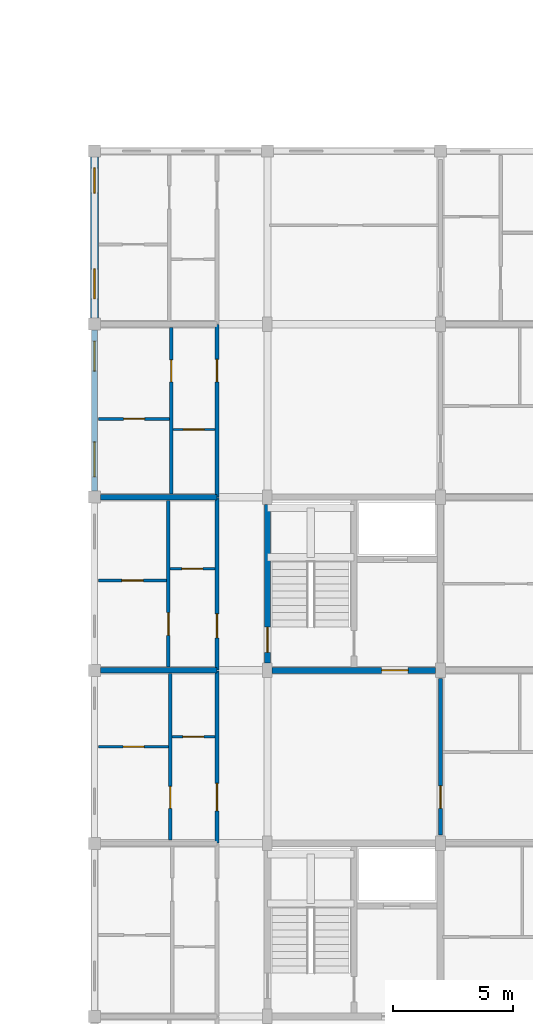
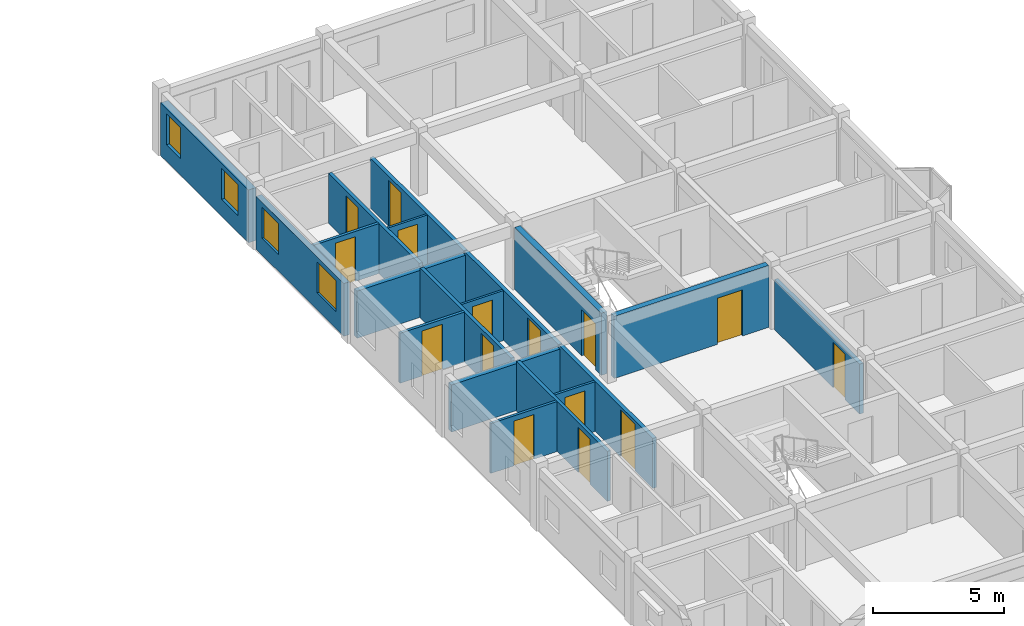
# One storey, part 52 of 65: 19 walls, 15 doors, 4 windows, 19 openings.
"""IFC4 building model written with IfcOpenShell, lengths in metres."""

from ifc_helpers import new_model, si_unit, direction, frame, frame_2d, origin, place, context, subcontext, project, spatial, rectangle, extrude, material, layer, layer_set, type_object, element, fill, save


model = new_model("IFC4")

# Units and contexts
model_context = context("Model", 3, precision=1e-05, world=origin(), true_north=direction((0.0, 1.0)))
body_context = subcontext(model_context, "Body", "Model", "MODEL_VIEW")
ifc_project = project(units=[si_unit("LENGTHUNIT", "METRE"), si_unit("AREAUNIT", "SQUARE_METRE"), si_unit("VOLUMEUNIT", "CUBIC_METRE"), si_unit("PLANEANGLEUNIT", "RADIAN"), si_unit("MASSUNIT", "GRAM", prefix="KILO"), si_unit("THERMODYNAMICTEMPERATUREUNIT", "KELVIN"), si_unit("POWERUNIT", "WATT")], contexts=[model_context])

# Site, building, storey
site_placement = place(None, origin())
site = spatial("IfcSite", under=ifc_project, at=site_placement, CompositionType="ELEMENT")
building_placement = place(site_placement, origin())
building = spatial("IfcBuilding", under=site, at=building_placement, Name="Tavuni Mirador Residences", CompositionType="ELEMENT")
storey_placement = place(building_placement, frame((0.0, 0.0, 29.699951171875)))
storey = spatial("IfcBuildingStorey", under=building, at=storey_placement, Name="L09", CompositionType="ELEMENT", Elevation=29.699951171875)

# Wall, opening, door
ifc_material_1 = material(Name="Precast concrete C40/50", Category="concrete")
ifc_layer_1 = layer(ifc_material_1, 0.25, Name="Precast concrete C40/50", Category="concrete")
ifc_layer_set_1 = layer_set([ifc_layer_1], Name="Precast concrete C40/50")
wall_type_1 = type_object("IfcWallType", Name="WT-COR250", PredefinedType="SHEAR", material=ifc_layer_set_1)
wall_1_placement = place(storey_placement, frame((104.39990234375, 108.300048828125, 0.0), z_axis=(0.0, 0.0, 1.0), x_axis=(0.0, 1.0, 0.0)))
wall_1 = element("IfcWall", 1, at=wall_1_placement, inside=storey, type_object=wall_type_1, Name="CWALL-C8-L09-W", PredefinedType="SHEAR", context=body_context, shape_type="SweptSolid", body=[
    extrude(rectangle(XDim=6.599853515625, YDim=0.25, at=frame_2d((3.2998046875, 0.0))), origin(), (0.0, 0.0, 1.0), 2.89013671875),
])
opening_1_placement = place(wall_1_placement, frame((0.449951171875, 0.0, 0.0)))
opening_1 = element("IfcOpeningElement", 2, at=opening_1_placement, cuts=wall_1, Name="Opening D-01", PredefinedType="OPENING", context=body_context, shape_type="SweptSolid", body=[
    extrude(rectangle(XDim=1.050048828125, YDim=2.14990234375, at=frame_2d((0.52490234375, 1.074951171875))), frame((0.0, 0.135009765625, 0.0), z_axis=(0.0, -1.0, 0.0), x_axis=(1.0, 0.0, 0.0)), (0.0, 0.0, 1.0), 0.27001953125),
])
ifc_material_2 = material(Name="Solid core iroko timber", Category="wood")
door_type_1 = type_object("IfcDoorType", Name="DT-ST1050", OperationType="NOTDEFINED", PredefinedType="DOOR", material=ifc_material_2)
door_1_placement = place(opening_1_placement, origin())
door_1 = element("IfcDoor", 3, at=door_1_placement, inside=storey, type_object=door_type_1, Name="DR-2349", OperationType="SINGLE_SWING_RIGHT", OverallHeight=2.14990234375, OverallWidth=1.050048828125, PredefinedType="DOOR", context=body_context, shape_type="SweptSolid", body=[
    extrude(rectangle(XDim=1.050048828125, YDim=2.14990234375, at=frame_2d((0.52490234375, 1.074951171875))), frame((0.0, 0.02490234375, 0.0), z_axis=(0.0, -1.0, 0.0), x_axis=(1.0, 0.0, 0.0)), (0.0, 0.0, 1.0), 0.050048828125),
])
fill(opening_1, door_1)

wall_2_placement = place(storey_placement, frame((104.60009765625, 108.0, 0.0), z_axis=(0.0, 0.0, 1.0), x_axis=(1.0, 0.0, 0.0)))
wall_2 = element("IfcWall", 4, at=wall_2_placement, inside=storey, type_object=wall_type_1, Name="CWALL-C8-L09-SS", PredefinedType="SHEAR", context=body_context, shape_type="SweptSolid", body=[
    extrude(rectangle(XDim=6.7998046875, YDim=0.25, at=frame_2d((3.39990234375, 0.0))), origin(), (0.0, 0.0, 1.0), 2.89013671875),
])
opening_2_placement = place(wall_2_placement, frame((4.550048828125, 0.0, 0.0)))
opening_2 = element("IfcOpeningElement", 5, at=opening_2_placement, cuts=wall_2, Name="Opening D-02", PredefinedType="OPENING", context=body_context, shape_type="SweptSolid", body=[
    extrude(rectangle(XDim=1.10009765625, YDim=2.14990234375, at=frame_2d((0.550048828125, 1.074951171875))), frame((0.0, 0.135009765625, 0.0), z_axis=(0.0, -1.0, 0.0), x_axis=(1.0, 0.0, 0.0)), (0.0, 0.0, 1.0), 0.27001953125),
])
door_type_2 = type_object("IfcDoorType", Name="DT-LOB1100", OperationType="NOTDEFINED", PredefinedType="DOOR", material=ifc_material_2)
door_2_placement = place(opening_2_placement, frame((1.10009765625, 0.0, 0.0), z_axis=(0.0, 0.0, 1.0), x_axis=(-1.0, 0.0, 0.0)))
door_2 = element("IfcDoor", 6, at=door_2_placement, inside=storey, type_object=door_type_2, Name="DR-2350", OperationType="SINGLE_SWING_RIGHT", OverallHeight=2.14990234375, OverallWidth=1.10009765625, PredefinedType="DOOR", context=body_context, shape_type="SweptSolid", body=[
    extrude(rectangle(XDim=1.10009765625, YDim=2.14990234375, at=frame_2d((0.550048828125, 1.074951171875))), frame((0.0, 0.02490234375, 0.0), z_axis=(0.0, -1.0, 0.0), x_axis=(1.0, 0.0, 0.0)), (0.0, 0.0, 1.0), 0.050048828125),
])
fill(opening_2, door_2)

ifc_layer_2 = layer(ifc_material_1, 0.1650390625, Name="Precast concrete C40/50", Category="concrete")
ifc_layer_set_2 = layer_set([ifc_layer_2], Name="Precast concrete C40/50")
wall_type_2 = type_object("IfcWallType", Name="WT-CORR165", PredefinedType="PARTITIONING", material=ifc_layer_set_2)
wall_3_placement = place(storey_placement, frame((102.300048828125, 100.820068359375, 0.0), z_axis=(0.0, 0.0, 1.0), x_axis=(0.0, 1.0, 0.0)))
wall_3 = element("IfcWall", 7, at=wall_3_placement, inside=storey, type_object=wall_type_2, Name="CORW-BLK-D-L09-0-02", PredefinedType="PARTITIONING", context=body_context, shape_type="SweptSolid", body=[
    extrude(rectangle(XDim=7.159912109375, YDim=0.1650390625, at=frame_2d((3.580078125, 0.0))), origin(), (0.0, 0.0, 1.0), 2.324951171875),
])
opening_3_placement = place(wall_3_placement, frame((1.330078125, 0.0, 0.0)))
opening_3 = element("IfcOpeningElement", 8, at=opening_3_placement, cuts=wall_3, Name="Opening D-20", PredefinedType="OPENING", context=body_context, shape_type="SweptSolid", body=[
    extrude(rectangle(XDim=1.139892578125, YDim=2.179931640625, at=frame_2d((0.56982421875, 1.08984375))), frame((0.0, 0.092529296875, 0.0), z_axis=(0.0, -1.0, 0.0), x_axis=(1.0, 0.0, 0.0)), (0.0, 0.0, 1.0), 0.18505859375),
])
door_type_3 = type_object("IfcDoorType", Name="DT-FD60-1140", OperationType="NOTDEFINED", PredefinedType="DOOR", material=ifc_material_2)
door_3_placement = place(opening_3_placement, origin())
door_3 = element("IfcDoor", 9, at=door_3_placement, inside=storey, type_object=door_type_3, Name="DR-2915", OperationType="SINGLE_SWING_RIGHT", OverallHeight=2.179931640625, OverallWidth=1.139892578125, PredefinedType="DOOR", context=body_context, shape_type="SweptSolid", body=[
    extrude(rectangle(XDim=1.139892578125, YDim=2.179931640625, at=frame_2d((0.56982421875, 1.08984375))), frame((0.0, 0.02490234375, 0.0), z_axis=(0.0, -1.0, 0.0), x_axis=(1.0, 0.0, 0.0)), (0.0, 0.0, 1.0), 0.050048828125),
])
fill(opening_3, door_3)

wall_4_placement = place(storey_placement, frame((102.300048828125, 108.02001953125, 0.0), z_axis=(0.0, 0.0, 1.0), x_axis=(0.0, 1.0, 0.0)))
wall_4 = element("IfcWall", 10, at=wall_4_placement, inside=storey, type_object=wall_type_2, Name="CORW-BLK-D-L09-0-03", PredefinedType="PARTITIONING", context=body_context, shape_type="SweptSolid", body=[
    extrude(rectangle(XDim=7.159912109375, YDim=0.1650390625, at=frame_2d((3.580078125, 0.0))), origin(), (0.0, 0.0, 1.0), 2.324951171875),
])
opening_4_placement = place(wall_4_placement, frame((1.330078125, 0.0, 0.0)))
opening_4 = element("IfcOpeningElement", 11, at=opening_4_placement, cuts=wall_4, Name="Opening D-03", PredefinedType="OPENING", context=body_context, shape_type="SweptSolid", body=[
    extrude(rectangle(XDim=1.0, YDim=2.14990234375, at=frame_2d((0.5, 1.074951171875))), frame((0.0, 0.092529296875, 0.0), z_axis=(0.0, -1.0, 0.0), x_axis=(1.0, 0.0, 0.0)), (0.0, 0.0, 1.0), 0.18505859375),
])
door_type_4 = type_object("IfcDoorType", Name="DT-FD60-1000", OperationType="NOTDEFINED", PredefinedType="DOOR", material=ifc_material_2)
door_4_placement = place(opening_4_placement, origin())
door_4 = element("IfcDoor", 12, at=door_4_placement, inside=storey, type_object=door_type_4, Name="DR-2916", OperationType="SINGLE_SWING_LEFT", OverallHeight=2.14990234375, OverallWidth=1.0, PredefinedType="DOOR", context=body_context, shape_type="SweptSolid", body=[
    extrude(rectangle(XDim=1.0, YDim=2.14990234375, at=frame_2d((0.5, 1.074951171875))), frame((0.0, 0.02490234375, 0.0), z_axis=(0.0, -1.0, 0.0), x_axis=(1.0, 0.0, 0.0)), (0.0, 0.0, 1.0), 0.050048828125),
])
fill(opening_4, door_4)

wall_5_placement = place(storey_placement, frame((102.300048828125, 115.219970703125, 0.0), z_axis=(0.0, 0.0, 1.0), x_axis=(0.0, 1.0, 0.0)))
wall_5 = element("IfcWall", 13, at=wall_5_placement, inside=storey, type_object=wall_type_2, Name="CORW-BLK-D-L09-0-04", PredefinedType="PARTITIONING", context=body_context, shape_type="SweptSolid", body=[
    extrude(rectangle(XDim=7.159912109375, YDim=0.1650390625, at=frame_2d((3.580078125, 0.0))), origin(), (0.0, 0.0, 1.0), 2.324951171875),
])
opening_5_placement = place(wall_5_placement, frame((4.780029296875, 0.0, 0.0)))
opening_5 = element("IfcOpeningElement", 14, at=opening_5_placement, cuts=wall_5, Name="Opening D-19", PredefinedType="OPENING", context=body_context, shape_type="SweptSolid", body=[
    extrude(rectangle(XDim=0.93994140625, YDim=2.1201171875, at=frame_2d((0.469970703125, 1.06005859375))), frame((0.0, 0.092529296875, 0.0), z_axis=(0.0, -1.0, 0.0), x_axis=(1.0, 0.0, 0.0)), (0.0, 0.0, 1.0), 0.18505859375),
])
door_type_5 = type_object("IfcDoorType", Name="DT-FD60-940", OperationType="NOTDEFINED", PredefinedType="DOOR", material=ifc_material_2)
door_5_placement = place(opening_5_placement, origin())
door_5 = element("IfcDoor", 15, at=door_5_placement, inside=storey, type_object=door_type_5, Name="DR-2917", OperationType="SINGLE_SWING_RIGHT", OverallHeight=2.1201171875, OverallWidth=0.93994140625, PredefinedType="DOOR", context=body_context, shape_type="SweptSolid", body=[
    extrude(rectangle(XDim=0.93994140625, YDim=2.1201171875, at=frame_2d((0.469970703125, 1.06005859375))), frame((0.0, 0.02490234375, 0.0), z_axis=(0.0, -1.0, 0.0), x_axis=(1.0, 0.0, 0.0)), (0.0, 0.0, 1.0), 0.050048828125),
])
fill(opening_5, door_5)

wall_6_placement = place(storey_placement, frame((111.60009765625, 101.14990234375, 0.0), z_axis=(0.0, 0.0, 1.0), x_axis=(0.0, 1.0, 0.0)))
wall_6 = element("IfcWall", 16, at=wall_6_placement, inside=storey, type_object=wall_type_2, Name="CORW-BLK-D-L09-1-02", PredefinedType="PARTITIONING", context=body_context, shape_type="SweptSolid", body=[
    extrude(rectangle(XDim=6.5, YDim=0.1650390625, at=frame_2d((3.25, 0.0))), origin(), (0.0, 0.0, 1.0), 2.324951171875),
])
opening_6_placement = place(wall_6_placement, frame((1.10009765625, 0.0, 0.0)))
opening_6 = element("IfcOpeningElement", 17, at=opening_6_placement, cuts=wall_6, Name="Opening D-19", PredefinedType="OPENING", context=body_context, shape_type="SweptSolid", body=[
    extrude(rectangle(XDim=0.93994140625, YDim=2.1201171875, at=frame_2d((0.469970703125, 1.06005859375))), frame((0.0, 0.092529296875, 0.0), z_axis=(0.0, -1.0, 0.0), x_axis=(1.0, 0.0, 0.0)), (0.0, 0.0, 1.0), 0.18505859375),
])
door_6_placement = place(opening_6_placement, origin())
door_6 = element("IfcDoor", 18, at=door_6_placement, inside=storey, type_object=door_type_5, Name="DR-2920", OperationType="SINGLE_SWING_LEFT", OverallHeight=2.1201171875, OverallWidth=0.93994140625, PredefinedType="DOOR", context=body_context, shape_type="SweptSolid", body=[
    extrude(rectangle(XDim=0.93994140625, YDim=2.1201171875, at=frame_2d((0.469970703125, 1.06005859375))), frame((0.0, 0.02490234375, 0.0), z_axis=(0.0, -1.0, 0.0), x_axis=(1.0, 0.0, 0.0)), (0.0, 0.0, 1.0), 0.050048828125),
])
fill(opening_6, door_6)

# Wall, openings, windows
ifc_layer_3 = layer(ifc_material_1, 0.330078125, Name="Precast concrete C40/50", Category="concrete")
ifc_layer_set_3 = layer_set([ifc_layer_3], Name="Precast concrete C40/50")
wall_type_3 = type_object("IfcWallType", Name="WT-EXT-COR330", PredefinedType="SOLIDWALL", material=ifc_layer_set_3)
wall_7_placement = place(storey_placement, frame((97.199951171875, 129.35009765625, 0.0), z_axis=(0.0, 0.0, 1.0), x_axis=(0.0, -1.0, 0.0)))
wall_7 = element("IfcWall", 19, at=wall_7_placement, inside=storey, type_object=wall_type_3, Name="EW-BLK-D-L09-W05", PredefinedType="SOLIDWALL", context=body_context, shape_type="SweptSolid", body=[
    extrude(rectangle(XDim=6.7001953125, YDim=0.330078125, at=frame_2d((3.35009765625, 0.0))), origin(), (0.0, 0.0, 1.0), 2.4599609375),
])
opening_7_placement = place(wall_7_placement, frame((0.449951171875, 0.0, 0.780029296875)))
opening_7 = element("IfcOpeningElement", 20, at=opening_7_placement, cuts=wall_7, Name="Opening WN-26", PredefinedType="OPENING", context=body_context, shape_type="SweptSolid", body=[
    extrude(rectangle(XDim=1.050048828125, YDim=1.43994140625, at=frame_2d((0.52490234375, 0.719970703125))), frame((0.0, 0.175048828125, 0.0), z_axis=(0.0, -1.0, 0.0), x_axis=(1.0, 0.0, 0.0)), (0.0, 0.0, 1.0), 0.35009765625),
])
opening_8_placement = place(wall_7_placement, frame((4.64990234375, 0.0, 0.780029296875)))
opening_8 = element("IfcOpeningElement", 21, at=opening_8_placement, cuts=wall_7, Name="Opening WN-28", PredefinedType="OPENING", context=body_context, shape_type="SweptSolid", body=[
    extrude(rectangle(XDim=1.25, YDim=1.43994140625, at=frame_2d((0.625, 0.719970703125))), frame((0.0, 0.175048828125, 0.0), z_axis=(0.0, -1.0, 0.0), x_axis=(1.0, 0.0, 0.0)), (0.0, 0.0, 1.0), 0.35009765625),
])
ifc_material_3 = material(Name="Laminated solar-control glass", Category="glass")
window_type_1 = type_object("IfcWindowType", Name="WNT-26", PartitioningType="SINGLE_PANEL", PredefinedType="WINDOW", material=ifc_material_3)
window_1_placement = place(opening_7_placement, origin())
window_1 = element("IfcWindow", 22, at=window_1_placement, inside=storey, type_object=window_type_1, Name="WIN-1786", OverallHeight=1.43994140625, OverallWidth=1.050048828125, PartitioningType="SINGLE_PANEL", PredefinedType="WINDOW", context=body_context, shape_type="SweptSolid", body=[
    extrude(rectangle(XDim=1.050048828125, YDim=1.43994140625, at=frame_2d((0.52490234375, 0.719970703125))), frame((0.0, 0.030029296875, 0.0), z_axis=(0.0, -1.0, 0.0), x_axis=(1.0, 0.0, 0.0)), (0.0, 0.0, 1.0), 0.06005859375),
])
fill(opening_7, window_1)
window_type_2 = type_object("IfcWindowType", Name="WNT-28", PartitioningType="SINGLE_PANEL", PredefinedType="WINDOW", material=ifc_material_3)
window_2_placement = place(opening_8_placement, origin())
window_2 = element("IfcWindow", 23, at=window_2_placement, inside=storey, type_object=window_type_2, Name="WIN-1787", OverallHeight=1.43994140625, OverallWidth=1.25, PartitioningType="SINGLE_PANEL", PredefinedType="WINDOW", context=body_context, shape_type="SweptSolid", body=[
    extrude(rectangle(XDim=1.25, YDim=1.43994140625, at=frame_2d((0.625, 0.719970703125))), frame((0.0, 0.030029296875, 0.0), z_axis=(0.0, -1.0, 0.0), x_axis=(1.0, 0.0, 0.0)), (0.0, 0.0, 1.0), 0.06005859375),
])
fill(opening_8, window_2)

ifc_material_4 = material(Name="Sgraffito lime-rendered precast concrete C40/50", Category="concrete")
ifc_layer_4 = layer(ifc_material_4, 0.2451171875, Name="Sgraffito lime-rendered precast concrete C40/50", Category="concrete")
ifc_layer_set_4 = layer_set([ifc_layer_4], Name="Sgraffito lime-rendered precast concrete C40/50")
wall_type_4 = type_object("IfcWallType", Name="WT-EXT-PC245", PredefinedType="SOLIDWALL", material=ifc_layer_set_4)
wall_8_placement = place(storey_placement, frame((97.199951171875, 122.14990234375, 0.0), z_axis=(0.0, 0.0, 1.0), x_axis=(0.0, -1.0, 0.0)))
wall_8 = element("IfcWall", 24, at=wall_8_placement, inside=storey, type_object=wall_type_4, Name="EW-BLK-D-L09-W04", PredefinedType="SOLIDWALL", context=body_context, shape_type="SweptSolid", body=[
    extrude(rectangle(XDim=6.699951171875, YDim=0.2451171875, at=frame_2d((3.35009765625, 0.0))), origin(), (0.0, 0.0, 1.0), 2.4599609375),
])
opening_9_placement = place(wall_8_placement, frame((0.449951171875, 0.0, 0.780029296875)))
opening_9 = element("IfcOpeningElement", 25, at=opening_9_placement, cuts=wall_8, Name="Opening WN-28", PredefinedType="OPENING", context=body_context, shape_type="SweptSolid", body=[
    extrude(rectangle(XDim=1.25, YDim=1.43994140625, at=frame_2d((0.625, 0.719970703125))), frame((0.0, 0.132568359375, 0.0), z_axis=(0.0, -1.0, 0.0), x_axis=(1.0, 0.0, 0.0)), (0.0, 0.0, 1.0), 0.26513671875),
])
opening_10_placement = place(wall_8_placement, frame((4.64990234375, 0.0, 0.780029296875)))
opening_10 = element("IfcOpeningElement", 26, at=opening_10_placement, cuts=wall_8, Name="Opening WN-30", PredefinedType="OPENING", context=body_context, shape_type="SweptSolid", body=[
    extrude(rectangle(XDim=1.449951171875, YDim=1.43994140625, at=frame_2d((0.72509765625, 0.719970703125))), frame((0.0, 0.132568359375, 0.0), z_axis=(0.0, -1.0, 0.0), x_axis=(1.0, 0.0, 0.0)), (0.0, 0.0, 1.0), 0.26513671875),
])
window_3_placement = place(opening_9_placement, origin())
window_3 = element("IfcWindow", 27, at=window_3_placement, inside=storey, type_object=window_type_2, Name="WIN-1788", OverallHeight=1.43994140625, OverallWidth=1.25, PartitioningType="SINGLE_PANEL", PredefinedType="WINDOW", context=body_context, shape_type="SweptSolid", body=[
    extrude(rectangle(XDim=1.25, YDim=1.43994140625, at=frame_2d((0.625, 0.719970703125))), frame((0.0, 0.030029296875, 0.0), z_axis=(0.0, -1.0, 0.0), x_axis=(1.0, 0.0, 0.0)), (0.0, 0.0, 1.0), 0.06005859375),
])
fill(opening_9, window_3)
window_type_3 = type_object("IfcWindowType", Name="WNT-30", PartitioningType="SINGLE_PANEL", PredefinedType="WINDOW", material=ifc_material_3)
window_4_placement = place(opening_10_placement, origin())
window_4 = element("IfcWindow", 28, at=window_4_placement, inside=storey, type_object=window_type_3, Name="WIN-1789", OverallHeight=1.43994140625, OverallWidth=1.449951171875, PartitioningType="SINGLE_PANEL", PredefinedType="WINDOW", context=body_context, shape_type="SweptSolid", body=[
    extrude(rectangle(XDim=1.449951171875, YDim=1.43994140625, at=frame_2d((0.72509765625, 0.719970703125))), frame((0.0, 0.030029296875, 0.0), z_axis=(0.0, -1.0, 0.0), x_axis=(1.0, 0.0, 0.0)), (0.0, 0.0, 1.0), 0.06005859375),
])
fill(opening_10, window_4)

# Wall, opening, door
ifc_material_5 = material(Name="Acoustic gypsum and concrete block partition", Category="concrete")
ifc_layer_5 = layer(ifc_material_5, 0.094970703125, Name="Acoustic gypsum and concrete block partition", Category="concrete")
ifc_layer_set_5 = layer_set([ifc_layer_5], Name="Acoustic gypsum and concrete block partition")
wall_type_5 = type_object("IfcWallType", Name="WT-PART095", PredefinedType="PARTITIONING", material=ifc_layer_set_5)
wall_9_placement = place(storey_placement, frame((100.35009765625, 112.219970703125, 0.0), z_axis=(0.0, 0.0, 1.0), x_axis=(1.0, 0.0, 0.0)))
wall_9 = element("IfcWall", 29, at=wall_9_placement, inside=storey, type_object=wall_type_5, Name="PW-BLK-D-L09-W03-IN1", PredefinedType="PARTITIONING", context=body_context, shape_type="SweptSolid", body=[
    extrude(rectangle(XDim=1.85986328125, YDim=0.094970703125, at=frame_2d((0.929931640625, 0.0))), origin(), (0.0, 0.0, 1.0), 2.324951171875),
])
opening_11_placement = place(wall_9_placement, frame((0.4951171875, 0.0, 0.0)))
opening_11 = element("IfcOpeningElement", 30, at=opening_11_placement, cuts=wall_9, Name="Opening D-10", PredefinedType="OPENING", context=body_context, shape_type="SweptSolid", body=[
    extrude(rectangle(XDim=0.8701171875, YDim=2.050048828125, at=frame_2d((0.43505859375, 1.02490234375))), frame((0.0, 0.0576171875, 0.0), z_axis=(0.0, -1.0, 0.0), x_axis=(1.0, 0.0, 0.0)), (0.0, 0.0, 1.0), 0.114990234375),
])
door_type_6 = type_object("IfcDoorType", Name="DT-WC870", OperationType="NOTDEFINED", PredefinedType="DOOR", material=ifc_material_2)
door_7_placement = place(opening_11_placement, origin())
door_7 = element("IfcDoor", 31, at=door_7_placement, inside=storey, type_object=door_type_6, Name="DR-4631", OperationType="SINGLE_SWING_RIGHT", OverallHeight=2.050048828125, OverallWidth=0.8701171875, PredefinedType="DOOR", context=body_context, shape_type="SweptSolid", body=[
    extrude(rectangle(XDim=0.8701171875, YDim=2.050048828125, at=frame_2d((0.43505859375, 1.02490234375))), frame((0.0, 0.02490234375, 0.0), z_axis=(0.0, -1.0, 0.0), x_axis=(1.0, 0.0, 0.0)), (0.0, 0.0, 1.0), 0.050048828125),
])
fill(opening_11, door_7)

wall_10_placement = place(storey_placement, frame((100.469970703125, 118.02001953125, 0.0), z_axis=(0.0, 0.0, 1.0), x_axis=(1.0, 0.0, 0.0)))
wall_10 = element("IfcWall", 32, at=wall_10_placement, inside=storey, type_object=wall_type_5, Name="PW-BLK-D-L09-W04-IN1", PredefinedType="PARTITIONING", context=body_context, shape_type="SweptSolid", body=[
    extrude(rectangle(XDim=1.739990234375, YDim=0.094970703125, at=frame_2d((0.8701171875, 0.0))), origin(), (0.0, 0.0, 1.0), 2.324951171875),
])
opening_12_placement = place(wall_10_placement, frame((0.43505859375, 0.0, 0.0)))
opening_12 = element("IfcOpeningElement", 33, at=opening_12_placement, cuts=wall_10, Name="Opening D-10", PredefinedType="OPENING", context=body_context, shape_type="SweptSolid", body=[
    extrude(rectangle(XDim=0.8701171875, YDim=2.050048828125, at=frame_2d((0.43505859375, 1.02490234375))), frame((0.0, 0.0576171875, 0.0), z_axis=(0.0, -1.0, 0.0), x_axis=(1.0, 0.0, 0.0)), (0.0, 0.0, 1.0), 0.114990234375),
])
door_8_placement = place(opening_12_placement, origin())
door_8 = element("IfcDoor", 34, at=door_8_placement, inside=storey, type_object=door_type_6, Name="DR-4635", OperationType="SINGLE_SWING_LEFT", OverallHeight=2.050048828125, OverallWidth=0.8701171875, PredefinedType="DOOR", context=body_context, shape_type="SweptSolid", body=[
    extrude(rectangle(XDim=0.8701171875, YDim=2.050048828125, at=frame_2d((0.43505859375, 1.02490234375))), frame((0.0, 0.02490234375, 0.0), z_axis=(0.0, -1.0, 0.0), x_axis=(1.0, 0.0, 0.0)), (0.0, 0.0, 1.0), 0.050048828125),
])
fill(opening_12, door_8)

ifc_layer_6 = layer(ifc_material_5, 0.10498046875, Name="Acoustic gypsum and concrete block partition", Category="concrete")
ifc_layer_set_6 = layer_set([ifc_layer_6], Name="Acoustic gypsum and concrete block partition")
wall_type_6 = type_object("IfcWallType", Name="WT-PART105", PredefinedType="PARTITIONING", material=ifc_layer_set_6)
wall_11_placement = place(storey_placement, frame((100.429931640625, 105.239990234375, 0.0), z_axis=(0.0, 0.0, 1.0), x_axis=(1.0, 0.0, 0.0)))
wall_11 = element("IfcWall", 35, at=wall_11_placement, inside=storey, type_object=wall_type_6, Name="PW-BLK-D-L09-W02-IN1", PredefinedType="PARTITIONING", context=body_context, shape_type="SweptSolid", body=[
    extrude(rectangle(XDim=1.780029296875, YDim=0.10498046875, at=frame_2d((0.89013671875, 0.0))), origin(), (0.0, 0.0, 1.0), 2.324951171875),
])
opening_13_placement = place(wall_11_placement, frame((0.455078125, 0.0, 0.0)))
opening_13 = element("IfcOpeningElement", 36, at=opening_13_placement, cuts=wall_11, Name="Opening D-10", PredefinedType="OPENING", context=body_context, shape_type="SweptSolid", body=[
    extrude(rectangle(XDim=0.8701171875, YDim=2.050048828125, at=frame_2d((0.43505859375, 1.02490234375))), frame((0.0, 0.0625, 0.0), z_axis=(0.0, -1.0, 0.0), x_axis=(1.0, 0.0, 0.0)), (0.0, 0.0, 1.0), 0.125),
])
door_9_placement = place(opening_13_placement, origin())
door_9 = element("IfcDoor", 37, at=door_9_placement, inside=storey, type_object=door_type_6, Name="DR-4626", OperationType="SINGLE_SWING_LEFT", OverallHeight=2.050048828125, OverallWidth=0.8701171875, PredefinedType="DOOR", context=body_context, shape_type="SweptSolid", body=[
    extrude(rectangle(XDim=0.8701171875, YDim=2.050048828125, at=frame_2d((0.43505859375, 1.02490234375))), frame((0.0, 0.02490234375, 0.0), z_axis=(0.0, -1.0, 0.0), x_axis=(1.0, 0.0, 0.0)), (0.0, 0.0, 1.0), 0.050048828125),
])
fill(opening_13, door_9)

ifc_layer_7 = layer(ifc_material_5, 0.114990234375, Name="Acoustic gypsum and concrete block partition", Category="concrete")
ifc_layer_set_7 = layer_set([ifc_layer_7], Name="Acoustic gypsum and concrete block partition")
wall_type_7 = type_object("IfcWallType", Name="WT-PART115", PredefinedType="PARTITIONING", material=ifc_layer_set_7)
wall_12_placement = place(storey_placement, frame((97.375, 104.820068359375, 0.0), z_axis=(0.0, 0.0, 1.0), x_axis=(1.0, 0.0, 0.0)))
wall_12 = element("IfcWall", 38, at=wall_12_placement, inside=storey, type_object=wall_type_7, Name="PW-BLK-D-L09-W02-OUT", PredefinedType="PARTITIONING", context=body_context, shape_type="SweptSolid", body=[
    extrude(rectangle(XDim=2.9150390625, YDim=0.114990234375, at=frame_2d((1.45751953125, 0.0))), origin(), (0.0, 0.0, 1.0), 2.324951171875),
])
opening_14_placement = place(wall_12_placement, frame((1.017578125, 0.0, 0.0)))
opening_14 = element("IfcOpeningElement", 39, at=opening_14_placement, cuts=wall_12, Name="Opening D-08", PredefinedType="OPENING", context=body_context, shape_type="SweptSolid", body=[
    extrude(rectangle(XDim=0.8798828125, YDim=2.080078125, at=frame_2d((0.43994140625, 1.0400390625))), frame((0.0, 0.0673828125, 0.0), z_axis=(0.0, -1.0, 0.0), x_axis=(1.0, 0.0, 0.0)), (0.0, 0.0, 1.0), 0.135009765625),
])
door_type_7 = type_object("IfcDoorType", Name="DT-BED880", OperationType="NOTDEFINED", PredefinedType="DOOR", material=ifc_material_2)
door_10_placement = place(opening_14_placement, origin())
door_10 = element("IfcDoor", 40, at=door_10_placement, inside=storey, type_object=door_type_7, Name="DR-4625", OperationType="SINGLE_SWING_RIGHT", OverallHeight=2.080078125, OverallWidth=0.8798828125, PredefinedType="DOOR", context=body_context, shape_type="SweptSolid", body=[
    extrude(rectangle(XDim=0.8798828125, YDim=2.080078125, at=frame_2d((0.43994140625, 1.0400390625))), frame((0.0, 0.02490234375, 0.0), z_axis=(0.0, -1.0, 0.0), x_axis=(1.0, 0.0, 0.0)), (0.0, 0.0, 1.0), 0.050048828125),
])
fill(opening_14, door_10)

ifc_layer_8 = layer(ifc_material_5, 0.125, Name="Acoustic gypsum and concrete block partition", Category="concrete")
ifc_layer_set_8 = layer_set([ifc_layer_8], Name="Acoustic gypsum and concrete block partition")
wall_type_8 = type_object("IfcWallType", Name="WT-PART125", PredefinedType="PARTITIONING", material=ifc_layer_set_8)
wall_13_placement = place(storey_placement, frame((97.375, 111.739990234375, 0.0), z_axis=(0.0, 0.0, 1.0), x_axis=(1.0, 0.0, 0.0)))
wall_13 = element("IfcWall", 41, at=wall_13_placement, inside=storey, type_object=wall_type_8, Name="PW-BLK-D-L09-W03-OUT", PredefinedType="PARTITIONING", context=body_context, shape_type="SweptSolid", body=[
    extrude(rectangle(XDim=2.8349609375, YDim=0.125, at=frame_2d((1.41748046875, 0.0))), origin(), (0.0, 0.0, 1.0), 2.324951171875),
])
opening_15_placement = place(wall_13_placement, frame((0.967529296875, 0.0, 0.0)))
opening_15 = element("IfcOpeningElement", 42, at=opening_15_placement, cuts=wall_13, Name="Opening D-07", PredefinedType="OPENING", context=body_context, shape_type="SweptSolid", body=[
    extrude(rectangle(XDim=0.89990234375, YDim=2.10009765625, at=frame_2d((0.449951171875, 1.050048828125))), frame((0.0, 0.072509765625, 0.0), z_axis=(0.0, -1.0, 0.0), x_axis=(1.0, 0.0, 0.0)), (0.0, 0.0, 1.0), 0.14501953125),
])
door_type_8 = type_object("IfcDoorType", Name="DT-BED900", OperationType="NOTDEFINED", PredefinedType="DOOR", material=ifc_material_2)
door_11_placement = place(opening_15_placement, origin())
door_11 = element("IfcDoor", 43, at=door_11_placement, inside=storey, type_object=door_type_8, Name="DR-4630", OperationType="SINGLE_SWING_LEFT", OverallHeight=2.10009765625, OverallWidth=0.89990234375, PredefinedType="DOOR", context=body_context, shape_type="SweptSolid", body=[
    extrude(rectangle(XDim=0.89990234375, YDim=2.10009765625, at=frame_2d((0.449951171875, 1.050048828125))), frame((0.0, 0.02490234375, 0.0), z_axis=(0.0, -1.0, 0.0), x_axis=(1.0, 0.0, 0.0)), (0.0, 0.0, 1.0), 0.050048828125),
])
fill(opening_15, door_11)

wall_14_placement = place(storey_placement, frame((97.375, 118.4599609375, 0.0), z_axis=(0.0, 0.0, 1.0), x_axis=(1.0, 0.0, 0.0)))
wall_14 = element("IfcWall", 44, at=wall_14_placement, inside=storey, type_object=wall_type_8, Name="PW-BLK-D-L09-W04-OUT", PredefinedType="PARTITIONING", context=body_context, shape_type="SweptSolid", body=[
    extrude(rectangle(XDim=2.955078125, YDim=0.125, at=frame_2d((1.4775390625, 0.0))), origin(), (0.0, 0.0, 1.0), 2.324951171875),
])
opening_16_placement = place(wall_14_placement, frame((1.03759765625, 0.0, 0.0)))
opening_16 = element("IfcOpeningElement", 45, at=opening_16_placement, cuts=wall_14, Name="Opening D-08", PredefinedType="OPENING", context=body_context, shape_type="SweptSolid", body=[
    extrude(rectangle(XDim=0.8798828125, YDim=2.080078125, at=frame_2d((0.43994140625, 1.0400390625))), frame((0.0, 0.072509765625, 0.0), z_axis=(0.0, -1.0, 0.0), x_axis=(1.0, 0.0, 0.0)), (0.0, 0.0, 1.0), 0.14501953125),
])
door_12_placement = place(opening_16_placement, origin())
door_12 = element("IfcDoor", 46, at=door_12_placement, inside=storey, type_object=door_type_7, Name="DR-4634", OperationType="SINGLE_SWING_RIGHT", OverallHeight=2.080078125, OverallWidth=0.8798828125, PredefinedType="DOOR", context=body_context, shape_type="SweptSolid", body=[
    extrude(rectangle(XDim=0.8798828125, YDim=2.080078125, at=frame_2d((0.43994140625, 1.0400390625))), frame((0.0, 0.02490234375, 0.0), z_axis=(0.0, -1.0, 0.0), x_axis=(1.0, 0.0, 0.0)), (0.0, 0.0, 1.0), 0.050048828125),
])
fill(opening_16, door_12)

ifc_layer_9 = layer(ifc_material_5, 0.139892578125, Name="Acoustic gypsum and concrete block partition", Category="concrete")
ifc_layer_set_9 = layer_set([ifc_layer_9], Name="Acoustic gypsum and concrete block partition")
wall_type_9 = type_object("IfcWallType", Name="WT-PART140", PredefinedType="PARTITIONING", material=ifc_layer_set_9)
wall_15_placement = place(storey_placement, frame((100.360107421875, 100.93994140625, 0.0), z_axis=(0.0, 0.0, 1.0), x_axis=(0.0, 1.0, 0.0)))
wall_15 = element("IfcWall", 47, at=wall_15_placement, inside=storey, type_object=wall_type_9, Name="PW-BLK-D-L09-W02-MID", PredefinedType="PARTITIONING", context=body_context, shape_type="SweptSolid", body=[
    extrude(rectangle(XDim=6.920166015625, YDim=0.139892578125, at=frame_2d((3.4599609375, 0.0))), origin(), (0.0, 0.0, 1.0), 2.324951171875),
])
opening_17_placement = place(wall_15_placement, frame((1.31005859375, 0.0, 0.0)))
opening_17 = element("IfcOpeningElement", 48, at=opening_17_placement, cuts=wall_15, Name="Opening D-06", PredefinedType="OPENING", context=body_context, shape_type="SweptSolid", body=[
    extrude(rectangle(XDim=0.919921875, YDim=2.10009765625, at=frame_2d((0.4599609375, 1.050048828125))), frame((0.0, 0.080078125, 0.0), z_axis=(0.0, -1.0, 0.0), x_axis=(1.0, 0.0, 0.0)), (0.0, 0.0, 1.0), 0.159912109375),
])
door_type_9 = type_object("IfcDoorType", Name="DT-INT920", OperationType="NOTDEFINED", PredefinedType="DOOR", material=ifc_material_2)
door_13_placement = place(opening_17_placement, origin())
door_13 = element("IfcDoor", 49, at=door_13_placement, inside=storey, type_object=door_type_9, Name="DR-4627", OperationType="SINGLE_SWING_RIGHT", OverallHeight=2.10009765625, OverallWidth=0.919921875, PredefinedType="DOOR", context=body_context, shape_type="SweptSolid", body=[
    extrude(rectangle(XDim=0.919921875, YDim=2.10009765625, at=frame_2d((0.4599609375, 1.050048828125))), frame((0.0, 0.02490234375, 0.0), z_axis=(0.0, -1.0, 0.0), x_axis=(1.0, 0.0, 0.0)), (0.0, 0.0, 1.0), 0.050048828125),
])
fill(opening_17, door_13)

ifc_layer_10 = layer(ifc_material_5, 0.14990234375, Name="Acoustic gypsum and concrete block partition", Category="concrete")
ifc_layer_set_10 = layer_set([ifc_layer_10], Name="Acoustic gypsum and concrete block partition")
wall_type_10 = type_object("IfcWallType", Name="WT-PART150", PredefinedType="PARTITIONING", material=ifc_layer_set_10)
wall_16_placement = place(storey_placement, frame((100.280029296875, 108.139892578125, 0.0), z_axis=(0.0, 0.0, 1.0), x_axis=(0.0, 1.0, 0.0)))
wall_16 = element("IfcWall", 50, at=wall_16_placement, inside=storey, type_object=wall_type_10, Name="PW-BLK-D-L09-W03-MID", PredefinedType="PARTITIONING", context=body_context, shape_type="SweptSolid", body=[
    extrude(rectangle(XDim=6.920166015625, YDim=0.14990234375, at=frame_2d((3.4599609375, 0.0))), origin(), (0.0, 0.0, 1.0), 2.324951171875),
])
opening_18_placement = place(wall_16_placement, frame((1.31005859375, 0.0, 0.0)))
opening_18 = element("IfcOpeningElement", 51, at=opening_18_placement, cuts=wall_16, Name="Opening D-05", PredefinedType="OPENING", context=body_context, shape_type="SweptSolid", body=[
    extrude(rectangle(XDim=0.949951171875, YDim=2.10009765625, at=frame_2d((0.47509765625, 1.050048828125))), frame((0.0, 0.0849609375, 0.0), z_axis=(0.0, -1.0, 0.0), x_axis=(1.0, 0.0, 0.0)), (0.0, 0.0, 1.0), 0.169921875),
])
door_type_10 = type_object("IfcDoorType", Name="DT-INT950", OperationType="NOTDEFINED", PredefinedType="DOOR", material=ifc_material_2)
door_14_placement = place(opening_18_placement, origin())
door_14 = element("IfcDoor", 52, at=door_14_placement, inside=storey, type_object=door_type_10, Name="DR-4632", OperationType="SINGLE_SWING_LEFT", OverallHeight=2.10009765625, OverallWidth=0.949951171875, PredefinedType="DOOR", context=body_context, shape_type="SweptSolid", body=[
    extrude(rectangle(XDim=0.949951171875, YDim=2.10009765625, at=frame_2d((0.47509765625, 1.050048828125))), frame((0.0, 0.02490234375, 0.0), z_axis=(0.0, -1.0, 0.0), x_axis=(1.0, 0.0, 0.0)), (0.0, 0.0, 1.0), 0.050048828125),
])
fill(opening_18, door_14)

wall_17_placement = place(storey_placement, frame((100.39990234375, 115.340087890625, 0.0), z_axis=(0.0, 0.0, 1.0), x_axis=(0.0, 1.0, 0.0)))
wall_17 = element("IfcWall", 53, at=wall_17_placement, inside=storey, type_object=wall_type_10, Name="PW-BLK-D-L09-W04-MID", PredefinedType="PARTITIONING", context=body_context, shape_type="SweptSolid", body=[
    extrude(rectangle(XDim=6.919921875, YDim=0.14990234375, at=frame_2d((3.4599609375, 0.0))), origin(), (0.0, 0.0, 1.0), 2.324951171875),
])
opening_19_placement = place(wall_17_placement, frame((4.659912109375, 0.0, 0.0)))
opening_19 = element("IfcOpeningElement", 54, at=opening_19_placement, cuts=wall_17, Name="Opening D-06", PredefinedType="OPENING", context=body_context, shape_type="SweptSolid", body=[
    extrude(rectangle(XDim=0.919921875, YDim=2.10009765625, at=frame_2d((0.4599609375, 1.050048828125))), frame((0.0, 0.0849609375, 0.0), z_axis=(0.0, -1.0, 0.0), x_axis=(1.0, 0.0, 0.0)), (0.0, 0.0, 1.0), 0.169921875),
])
door_15_placement = place(opening_19_placement, origin())
door_15 = element("IfcDoor", 55, at=door_15_placement, inside=storey, type_object=door_type_9, Name="DR-4636", OperationType="SINGLE_SWING_RIGHT", OverallHeight=2.10009765625, OverallWidth=0.919921875, PredefinedType="DOOR", context=body_context, shape_type="SweptSolid", body=[
    extrude(rectangle(XDim=0.919921875, YDim=2.10009765625, at=frame_2d((0.4599609375, 1.050048828125))), frame((0.0, 0.02490234375, 0.0), z_axis=(0.0, -1.0, 0.0), x_axis=(1.0, 0.0, 0.0)), (0.0, 0.0, 1.0), 0.050048828125),
])
fill(opening_19, door_15)

# Walls
ifc_layer_11 = layer(ifc_material_1, 0.215087890625, Name="Precast concrete C40/50", Category="concrete")
ifc_layer_set_11 = layer_set([ifc_layer_11], Name="Precast concrete C40/50")
wall_type_11 = type_object("IfcWallType", Name="WT-XW215", PredefinedType="SOLIDWALL", material=ifc_layer_set_11)
for number, where, z_axis, x_axis, name in (
    (56, (97.449951171875, 108.0, 0.0), (0.0, 0.0, 1.0), (1.0, 0.0, 0.0), "XW-BLK-D-L09-W-03"),
    (57, (97.449951171875, 115.199951171875, 0.0), (0.0, 0.0, 1.0), (1.0, 0.0, 0.0), "XW-BLK-D-L09-W-04"),
):
    element("IfcWall", number, at=place(storey_placement, frame(where, z_axis=z_axis, x_axis=x_axis)), inside=storey, type_object=wall_type_11, Name=name, PredefinedType="SOLIDWALL", context=body_context, shape_type="SweptSolid", body=[
        extrude(rectangle(XDim=4.85009765625, YDim=0.215087890625, at=frame_2d((2.425048828125, 0.0))), origin(), (0.0, 0.0, 1.0), 2.18994140625),
    ])

save(model, "model.ifc")
